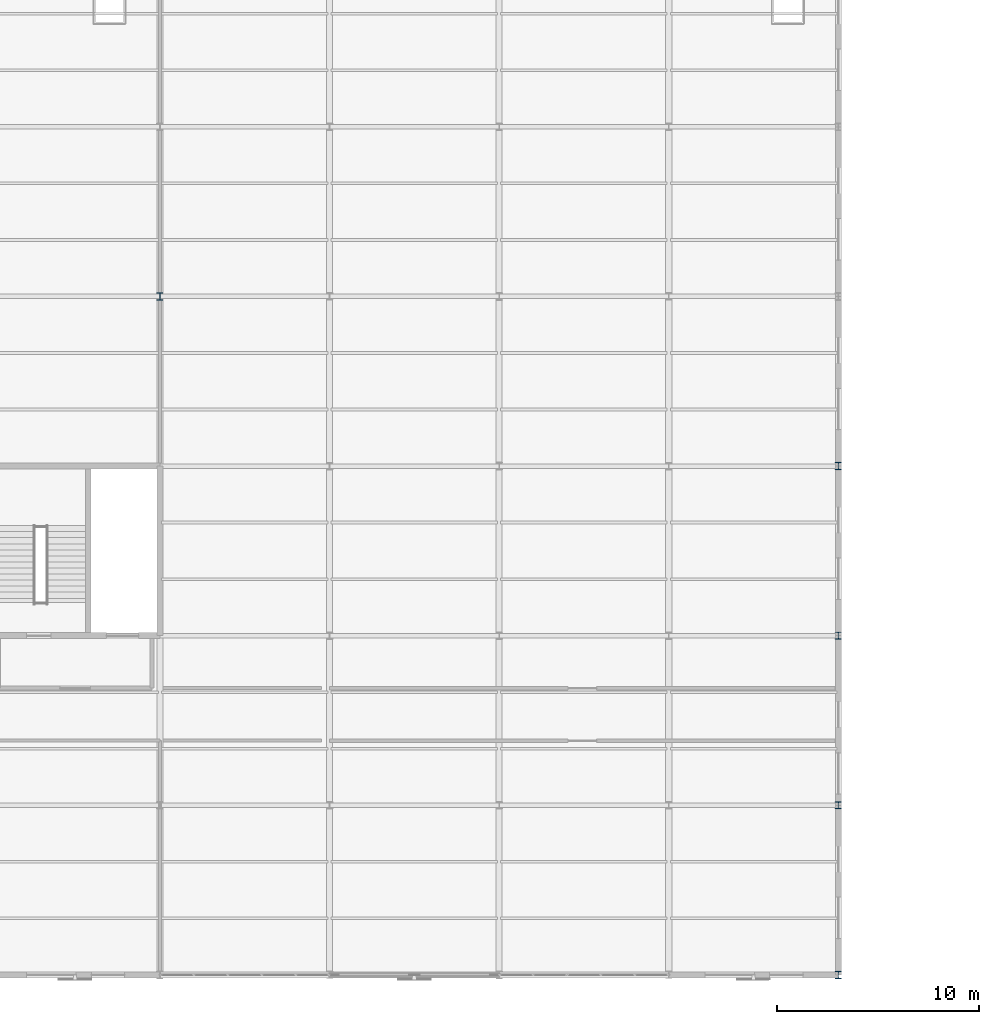
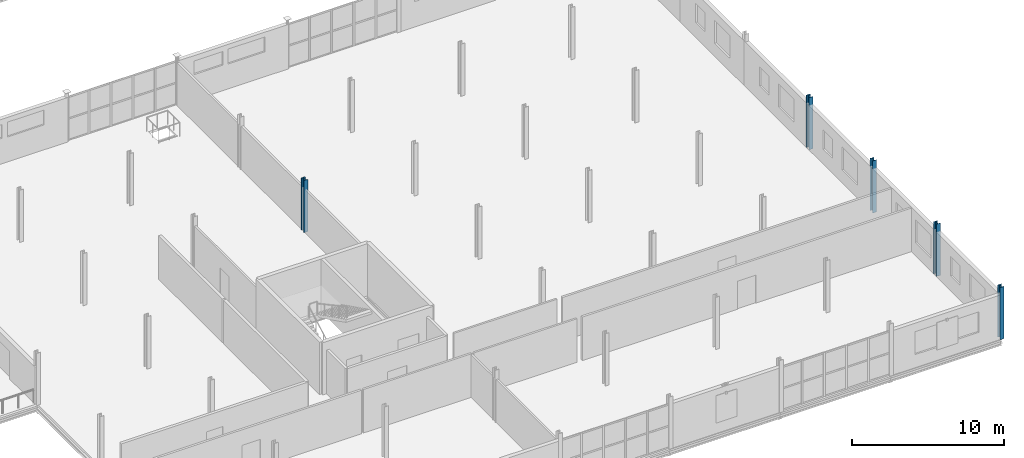
# One storey, part 18 of 163: 5 columns.
"""IFC4 building model written with IfcOpenShell, lengths in metres."""

from ifc_helpers import new_model, si_unit, direction, frame, origin, origin_2d, place, context, subcontext, project, spatial, i_section, extrude, material, material_profile, profile_set, type_object, element, save


model = new_model("IFC4")

# Units and contexts
model_context = context("Model", 3, precision=1e-05, world=origin(), true_north=direction((0.0, 1.0)))
body_context = subcontext(model_context, "Body", "Model", "MODEL_VIEW")
ifc_project = project(units=[si_unit("LENGTHUNIT", "METRE"), si_unit("AREAUNIT", "SQUARE_METRE"), si_unit("VOLUMEUNIT", "CUBIC_METRE"), si_unit("PLANEANGLEUNIT", "RADIAN"), si_unit("MASSUNIT", "GRAM", prefix="KILO")], contexts=[model_context])

# Site, building, storey
site_placement = place(None, origin())
site = spatial("IfcSite", under=ifc_project, at=site_placement, CompositionType="ELEMENT")
building_placement = place(site_placement, origin())
building = spatial("IfcBuilding", under=site, at=building_placement, Name="Qalvenar Corner Mobility Hub", CompositionType="ELEMENT")
storey_placement = place(building_placement, frame((0.0, 0.0, 4.800048828125)))
storey = spatial("IfcBuildingStorey", under=building, at=storey_placement, Name="L01", CompositionType="ELEMENT", Elevation=4.800048828125)

# Columns
ifc_material = material(Name="Steel S355", Category="steel")
ifc_material_profile = material_profile(ifc_material, i_section(OverallWidth=0.300048828125, OverallDepth=0.360107421875, WebThickness=0.012451171875, FlangeThickness=0.0224609375, FilletRadius=0.027099609375, at=origin_2d()), Name="HEB360")
ifc_profile_set = profile_set([ifc_material_profile], Name="Steel S355")
column_type = type_object("IfcColumnType", Name="COL-HEB360", PredefinedType="COLUMN", material=ifc_profile_set)
for number, where, z_axis, x_axis, name in (
    (1, (134.39990234375, 33.60009765625, 0.0), (0.0, 0.0, 1.0), (1.0, 0.0, 0.0), "Steel Column L01-G17-4"),
    (2, (168.0, 0.0, 0.0), (0.0, 0.0, 1.0), (1.0, 0.0, 0.0), "Steel Column L01-G21-0"),
    (3, (168.0, 8.39990234375, 0.0), (0.0, 0.0, 1.0), (1.0, 0.0, 0.0), "Steel Column L01-G21-1"),
    (4, (168.0, 16.800048828125, 0.0), (0.0, 0.0, 1.0), (1.0, 0.0, 0.0), "Steel Column L01-G21-2"),
    (5, (168.0, 25.199951171875, 0.0), (0.0, 0.0, 1.0), (1.0, 0.0, 0.0), "Steel Column L01-G21-3"),
):
    element("IfcColumn", number, at=place(storey_placement, frame(where, z_axis=z_axis, x_axis=x_axis)), inside=storey, type_object=column_type, Name=name, PredefinedType="COLUMN", context=body_context, shape_type="SweptSolid", body=[
        extrude(i_section(OverallWidth=0.300048828125, OverallDepth=0.360107421875, WebThickness=0.012451171875, FlangeThickness=0.0224609375, FilletRadius=0.027099609375, at=origin_2d()), origin(), (0.0, 0.0, 1.0), 4.199951171875),
    ])

save(model, "model.ifc")
